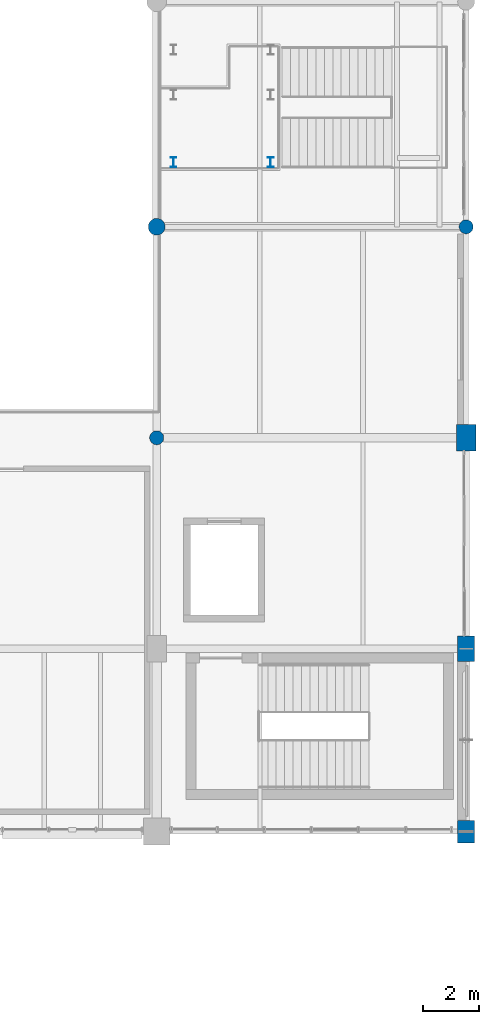
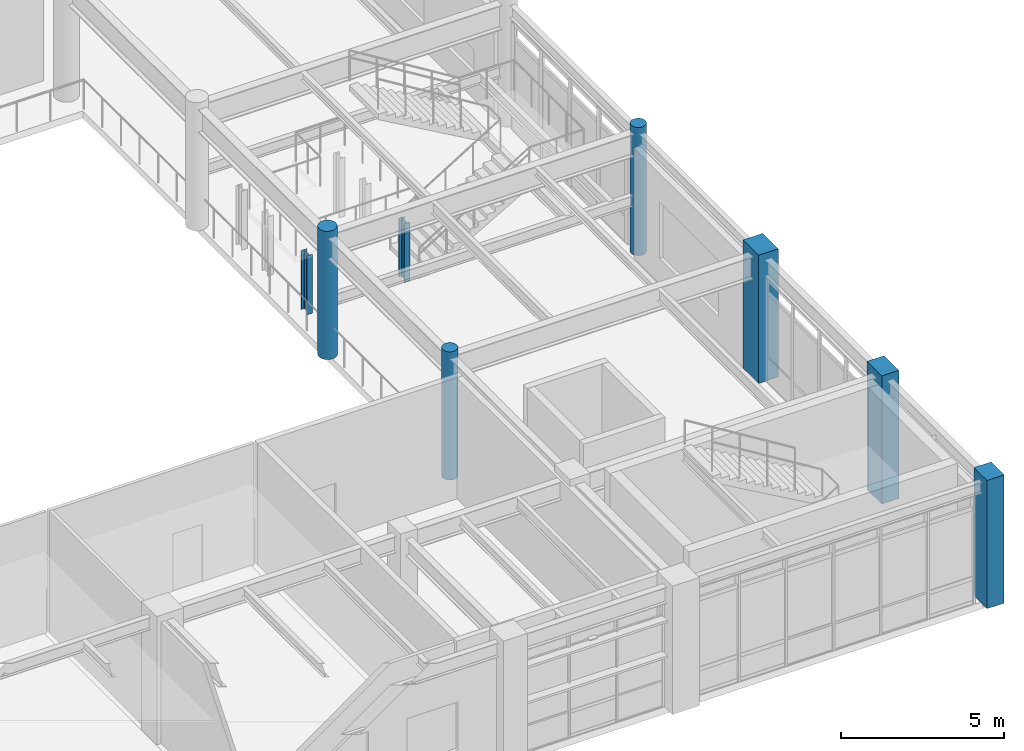
# One storey, part 13 of 200: 8 columns.
"""IFC4 building model written with IfcOpenShell, lengths in metres."""

from ifc_helpers import new_model, si_unit, direction, frame, origin, origin_2d, place, context, subcontext, project, spatial, rectangle, circle, i_section, extrude, material, material_profile, profile_set, type_object, element, save


model = new_model("IFC4")

# Units and contexts
model_context = context("Model", 3, precision=1e-05, world=origin(), true_north=direction((0.0, 1.0)))
body_context = subcontext(model_context, "Body", "Model", "MODEL_VIEW")
ifc_project = project(units=[si_unit("LENGTHUNIT", "METRE"), si_unit("AREAUNIT", "SQUARE_METRE"), si_unit("VOLUMEUNIT", "CUBIC_METRE"), si_unit("PLANEANGLEUNIT", "RADIAN"), si_unit("MASSUNIT", "GRAM", prefix="KILO"), si_unit("THERMODYNAMICTEMPERATUREUNIT", "KELVIN"), si_unit("POWERUNIT", "WATT")], contexts=[model_context])

# Site, building, storey
site_placement = place(None, origin())
site = spatial("IfcSite", under=ifc_project, at=site_placement, CompositionType="ELEMENT")
building_placement = place(site_placement, origin())
building = spatial("IfcBuilding", under=site, at=building_placement, Name="Tepalcoro Natatorium and Aquatics Centre", CompositionType="ELEMENT")
storey_placement = place(building_placement, frame((0.0, 0.0, 5.39990234375)))
storey = spatial("IfcBuildingStorey", under=building, at=storey_placement, Name="L01", CompositionType="ELEMENT", Elevation=5.39990234375)

# Columns
ifc_material_1 = material(Name="Steel ASTM A992 Grade 50 (Fy 345 MPa)", Category="steel")
ifc_material_profile_1 = material_profile(ifc_material_1, i_section(OverallWidth=0.205078125, OverallDepth=0.35302734375, WebThickness=0.009033203125, FlangeThickness=0.01708984375, FilletRadius=0.013916015625, at=origin_2d()), Name="W14X53")
ifc_profile_set_1 = profile_set([ifc_material_profile_1], Name="Steel ASTM A992 Grade 50 (Fy 345 MPa)")
column_type_1 = type_object("IfcColumnType", Name="COL_CHS324x16", PredefinedType="COLUMN", material=ifc_profile_set_1)
for number, where, z_axis, x_axis, name in (
    (1, (165.60009765625, 30.300048828125, 0.0), (0.0, 0.0, 1.0), (1.0, 0.0, 0.0), "Diving Tower 7.5m Platform Column"),
    (2, (169.050048828125, 30.300048828125, 0.0), (0.0, 0.0, 1.0), (1.0, 0.0, 0.0), "Diving Tower 7.5m Platform Column"),
):
    element("IfcColumn", number, at=place(storey_placement, frame(where, z_axis=z_axis, x_axis=x_axis)), inside=storey, type_object=column_type_1, Name=name, PredefinedType="COLUMN", context=body_context, shape_type="SweptSolid", body=[
        extrude(i_section(OverallWidth=0.205078125, OverallDepth=0.35302734375, WebThickness=0.009033203125, FlangeThickness=0.01708984375, FilletRadius=0.013916015625, at=origin_2d()), origin(), (0.0, 0.0, 1.0), 2.2001953125),
    ])
ifc_material_2 = material(Name="Concrete C40/50 (fc 40 MPa)", Category="concrete")
ifc_material_profile_2 = material_profile(ifc_material_2, rectangle(XDim=0.60009765625, YDim=0.800048828125, at=origin_2d()), Name="RC600x800")
ifc_profile_set_2 = profile_set([ifc_material_profile_2], Name="Concrete C40/50 (fc 40 MPa)")
column_type_2 = type_object("IfcColumnType", Name="COL_RC_600x800", PredefinedType="COLUMN", material=ifc_profile_set_2)
column_1_placement = place(storey_placement, frame((176.0, 6.5, 0.0), z_axis=(0.0, 0.0, 1.0), x_axis=(1.0, 0.0, 0.0)))
element("IfcColumn", 3, at=column_1_placement, inside=storey, type_object=column_type_2, Name="V2 L01 Grid Column (176.0, 6.5)", PredefinedType="COLUMN", context=body_context, shape_type="SweptSolid", body=[
    extrude(rectangle(XDim=0.60009765625, YDim=0.800048828125, at=origin_2d()), origin(), (0.0, 0.0, 1.0), 4.800048828125),
])
ifc_material_profile_3 = material_profile(ifc_material_2, rectangle(XDim=0.60009765625, YDim=0.89990234375, at=origin_2d()), Name="RC600x900")
ifc_profile_set_3 = profile_set([ifc_material_profile_3], Name="Concrete C40/50 (fc 40 MPa)")
column_type_3 = type_object("IfcColumnType", Name="COL_RC_600x900", PredefinedType="COLUMN", material=ifc_profile_set_3)
column_2_placement = place(storey_placement, frame((176.0, 13.0, 0.0), z_axis=(0.0, 0.0, 1.0), x_axis=(1.0, 0.0, 0.0)))
element("IfcColumn", 4, at=column_2_placement, inside=storey, type_object=column_type_3, Name="V2 L01 Grid Column (176.0, 13.0)", PredefinedType="COLUMN", context=body_context, shape_type="SweptSolid", body=[
    extrude(rectangle(XDim=0.60009765625, YDim=0.89990234375, at=origin_2d()), origin(), (0.0, 0.0, 1.0), 4.800048828125),
])
ifc_material_profile_4 = material_profile(ifc_material_2, rectangle(XDim=0.699951171875, YDim=0.949951171875, at=origin_2d()), Name="RC700x950")
ifc_profile_set_4 = profile_set([ifc_material_profile_4], Name="Concrete C40/50 (fc 40 MPa)")
column_type_4 = type_object("IfcColumnType", Name="COL_RC_700x950", PredefinedType="COLUMN", material=ifc_profile_set_4)
column_3_placement = place(storey_placement, frame((176.0, 20.5, 0.0), z_axis=(0.0, 0.0, 1.0), x_axis=(1.0, 0.0, 0.0)))
element("IfcColumn", 5, at=column_3_placement, inside=storey, type_object=column_type_4, Name="V2 L01 Grid Column (176.0, 20.5)", PredefinedType="COLUMN", context=body_context, shape_type="SweptSolid", body=[
    extrude(rectangle(XDim=0.699951171875, YDim=0.949951171875, at=origin_2d()), origin(), (0.0, 0.0, 1.0), 4.800048828125),
])
ifc_material_profile_5 = material_profile(ifc_material_2, circle(Radius=0.25, at=origin_2d()), Name="RCD500")
ifc_profile_set_5 = profile_set([ifc_material_profile_5], Name="Concrete C40/50 (fc 40 MPa)")
column_type_5 = type_object("IfcColumnType", Name="COL_RC_D500", PredefinedType="COLUMN", material=ifc_profile_set_5)
for number, where, z_axis, x_axis, name in (
    (6, (165.0, 20.5, 0.0), (0.0, 0.0, 1.0), (1.0, 0.0, 0.0), "V2 L01 Grid Column (165.0, 20.5)"),
    (7, (176.0, 28.0, 0.0), (0.0, 0.0, 1.0), (1.0, 0.0, 0.0), "V2 L01 Grid Column (176.0, 28.0)"),
):
    element("IfcColumn", number, at=place(storey_placement, frame(where, z_axis=z_axis, x_axis=x_axis)), inside=storey, type_object=column_type_5, Name=name, PredefinedType="COLUMN", context=body_context, shape_type="SweptSolid", body=[
        extrude(circle(Radius=0.25, at=origin_2d()), origin(), (0.0, 0.0, 1.0), 4.800048828125),
    ])
ifc_material_profile_6 = material_profile(ifc_material_2, circle(Radius=0.300048828125, at=origin_2d()), Name="RCD600")
ifc_profile_set_6 = profile_set([ifc_material_profile_6], Name="Concrete C40/50 (fc 40 MPa)")
column_type_6 = type_object("IfcColumnType", Name="COL_RC_D600", PredefinedType="COLUMN", material=ifc_profile_set_6)
column_4_placement = place(storey_placement, frame((165.0, 28.0, 0.0), z_axis=(0.0, 0.0, 1.0), x_axis=(1.0, 0.0, 0.0)))
element("IfcColumn", 8, at=column_4_placement, inside=storey, type_object=column_type_6, Name="V2 L01 Grid Column (165.0, 28.0)", PredefinedType="COLUMN", context=body_context, shape_type="SweptSolid", body=[
    extrude(circle(Radius=0.300048828125, at=origin_2d()), origin(), (0.0, 0.0, 1.0), 4.800048828125),
])

save(model, "model.ifc")
